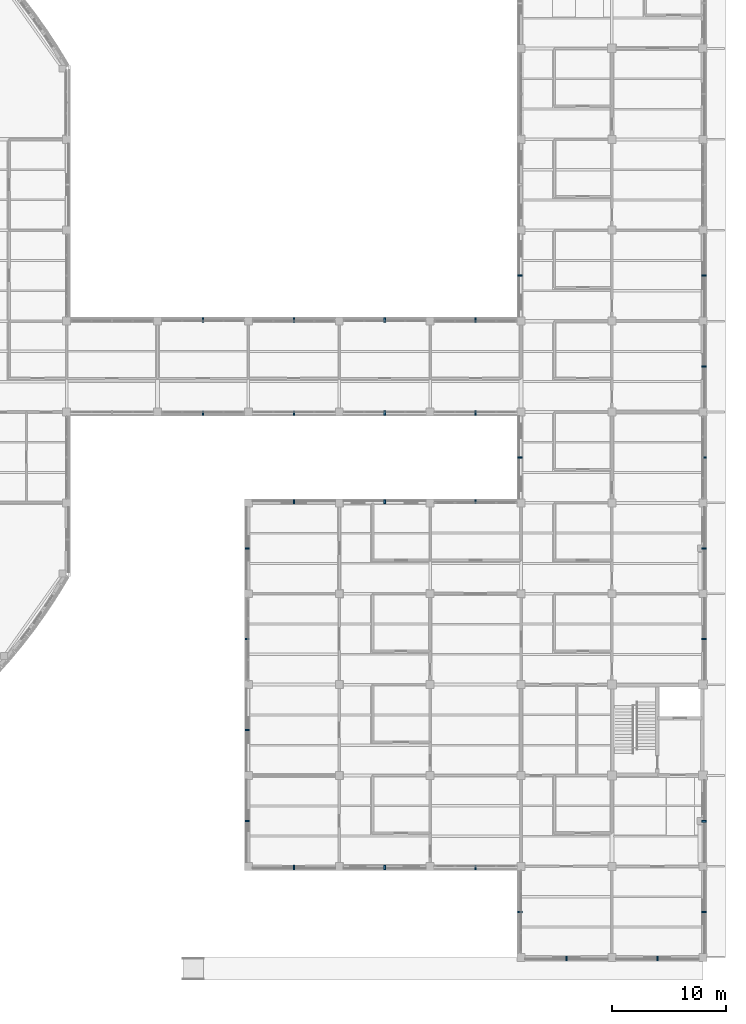
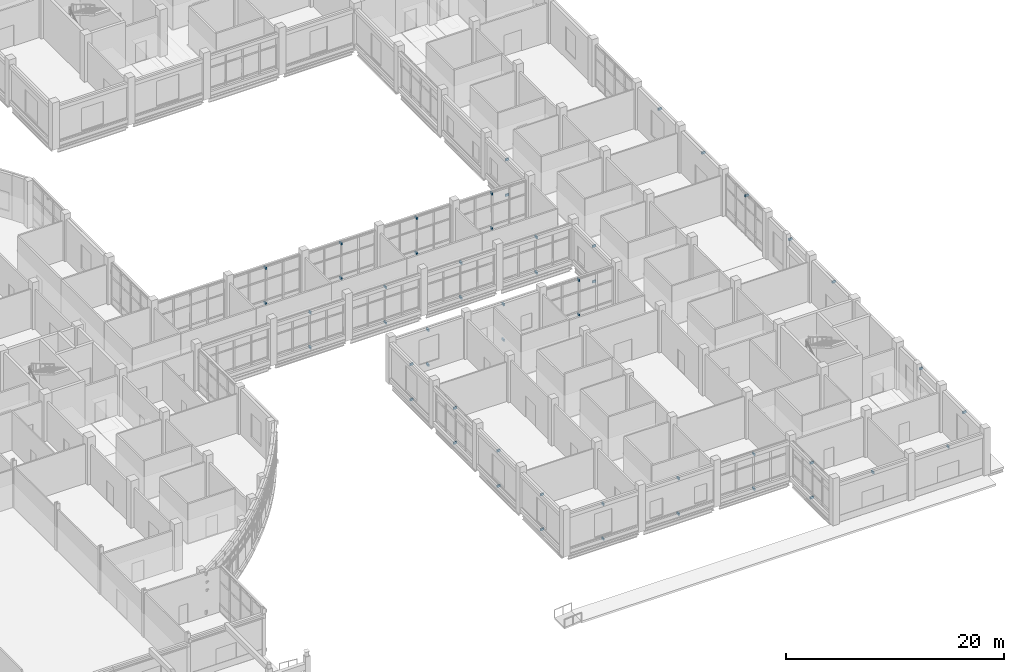
# One storey, part 90 of 105: 51 discrete accessories.
"""IFC4 building model written with IfcOpenShell, lengths in metres."""

from ifc_helpers import new_model, si_unit, derived_unit, direction, frame, origin, origin_2d, place, context, subcontext, project, spatial, rectangle, extrude, material, type_object, element, save


model = new_model("IFC4")

# Units and contexts
model_context = context("Model", 3, precision=1e-05, world=origin(), true_north=direction((0.0, 1.0)))
body_context = subcontext(model_context, "Body", "Model", "MODEL_VIEW")
ifc_project = project(units=[si_unit("LENGTHUNIT", "METRE"), si_unit("AREAUNIT", "SQUARE_METRE"), si_unit("VOLUMEUNIT", "CUBIC_METRE"), si_unit("PLANEANGLEUNIT", "RADIAN"), si_unit("MASSUNIT", "GRAM", prefix="KILO"), derived_unit("THERMALTRANSMITTANCEUNIT", [(si_unit("MASSUNIT", "GRAM", prefix="KILO"), 1), (si_unit("TIMEUNIT", "SECOND"), -3), (si_unit("THERMODYNAMICTEMPERATUREUNIT", "KELVIN"), -1)])], contexts=[model_context])

# Site, building, storey
site_placement = place(None, origin())
site = spatial("IfcSite", under=ifc_project, at=site_placement, CompositionType="ELEMENT")
building_placement = place(site_placement, origin())
building = spatial("IfcBuilding", under=site, at=building_placement, Name="Veyamyaing Civic Hall", CompositionType="ELEMENT")
storey_placement = place(building_placement, origin())
storey = spatial("IfcBuildingStorey", under=building, at=storey_placement, Name="L00", CompositionType="ELEMENT", Elevation=0.0)

# Discrete accessories
ifc_material = material(Name="Steel S355J2", Category="steel")
discrete_accessory_type = type_object("IfcDiscreteAccessoryType", Name="BK-01", PredefinedType="BRACKET", material=ifc_material)
for number, where, z_axis, x_axis, name in (
    (1, (132.0, 47.89990234375, 4.27392578125), (0.0, 0.0, 1.0), (0.0, -1.0, 0.0), "Sunshade anchor bracket BK-01 L00 S 17.7"),
    (2, (132.0, 47.89990234375, 0.35986328125), (0.0, 0.0, 1.0), (0.0, -1.0, 0.0), "Lower ribbon anchor bracket BK-01 L00 S 17.7"),
    (3, (132.0, 56.10009765625, 4.3369140625), (0.0, 0.0, 1.0), (0.0, 1.0, 0.0), "Sunshade anchor bracket BK-01 L00 N 17.7"),
    (4, (132.0, 56.10009765625, 0.35986328125), (0.0, 0.0, 1.0), (0.0, 1.0, 0.0), "Lower ribbon anchor bracket BK-01 L00 N 17.7"),
    (5, (140.0, 7.89990234375, 4.27392578125), (0.0, 0.0, 1.0), (0.0, -1.0, 0.0), "Sunshade anchor bracket BK-01 L00 S 18.2"),
    (6, (140.0, 7.89990234375, 0.35986328125), (0.0, 0.0, 1.0), (0.0, -1.0, 0.0), "Lower ribbon anchor bracket BK-01 L00 S 18.2"),
    (7, (135.89990234375, 12.0, 4.27392578125), (0.0, 0.0, 1.0), (-1.0, 0.0, 0.0), "Sunshade anchor bracket BK-01 L00 W 18.2"),
    (8, (135.89990234375, 12.0, 0.35986328125), (0.0, 0.0, 1.0), (-1.0, 0.0, 0.0), "Lower ribbon anchor bracket BK-01 L00 W 18.2"),
    (9, (135.89990234375, 20.0, 4.3369140625), (0.0, 0.0, 1.0), (-1.0, 0.0, 0.0), "Sunshade anchor bracket BK-01 L00 W 18.3"),
    (10, (135.89990234375, 20.0, 0.35986328125), (0.0, 0.0, 1.0), (-1.0, 0.0, 0.0), "Lower ribbon anchor bracket BK-01 L00 W 18.3"),
    (11, (135.89990234375, 28.0, 4.27001953125), (0.0, 0.0, 1.0), (-1.0, 0.0, 0.0), "Sunshade anchor bracket BK-01 L00 W 18.4"),
    (12, (135.89990234375, 28.0, 0.35986328125), (0.0, 0.0, 1.0), (-1.0, 0.0, 0.0), "Lower ribbon anchor bracket BK-01 L00 W 18.4"),
    (13, (140.0, 40.10009765625, 4.27392578125), (0.0, 0.0, 1.0), (0.0, 1.0, 0.0), "Sunshade anchor bracket BK-01 L00 N 18.5"),
    (14, (140.0, 40.10009765625, 0.35986328125), (0.0, 0.0, 1.0), (0.0, 1.0, 0.0), "Lower ribbon anchor bracket BK-01 L00 N 18.5"),
    (15, (135.89990234375, 36.0, 4.333984375), (0.0, 0.0, 1.0), (-1.0, 0.0, 0.0), "Sunshade anchor bracket BK-01 L00 W 18.5"),
    (16, (135.89990234375, 36.0, 0.35986328125), (0.0, 0.0, 1.0), (-1.0, 0.0, 0.0), "Lower ribbon anchor bracket BK-01 L00 W 18.5"),
    (17, (140.0, 47.89990234375, 4.3369140625), (0.0, 0.0, 1.0), (0.0, -1.0, 0.0), "Sunshade anchor bracket BK-01 L00 S 18.7"),
    (18, (140.0, 47.89990234375, 0.35986328125), (0.0, 0.0, 1.0), (0.0, -1.0, 0.0), "Lower ribbon anchor bracket BK-01 L00 S 18.7"),
    (19, (140.0, 56.10009765625, 4.27001953125), (0.0, 0.0, 1.0), (0.0, 1.0, 0.0), "Sunshade anchor bracket BK-01 L00 N 18.7"),
    (20, (140.0, 56.10009765625, 0.35986328125), (0.0, 0.0, 1.0), (0.0, 1.0, 0.0), "Lower ribbon anchor bracket BK-01 L00 N 18.7"),
    (21, (148.0, 7.89990234375, 4.3369140625), (0.0, 0.0, 1.0), (0.0, -1.0, 0.0), "Sunshade anchor bracket BK-01 L00 S 19.2"),
    (22, (148.0, 7.89990234375, 0.35986328125), (0.0, 0.0, 1.0), (0.0, -1.0, 0.0), "Lower ribbon anchor bracket BK-01 L00 S 19.2"),
    (23, (148.0, 40.10009765625, 4.3369140625), (0.0, 0.0, 1.0), (0.0, 1.0, 0.0), "Sunshade anchor bracket BK-01 L00 N 19.5"),
    (24, (148.0, 40.10009765625, 0.35986328125), (0.0, 0.0, 1.0), (0.0, 1.0, 0.0), "Lower ribbon anchor bracket BK-01 L00 N 19.5"),
    (25, (148.0, 47.89990234375, 4.27001953125), (0.0, 0.0, 1.0), (0.0, -1.0, 0.0), "Sunshade anchor bracket BK-01 L00 S 19.7"),
    (26, (148.0, 47.89990234375, 0.35986328125), (0.0, 0.0, 1.0), (0.0, -1.0, 0.0), "Lower ribbon anchor bracket BK-01 L00 S 19.7"),
    (27, (148.0, 56.10009765625, 4.333984375), (0.0, 0.0, 1.0), (0.0, 1.0, 0.0), "Sunshade anchor bracket BK-01 L00 N 19.7"),
    (28, (148.0, 56.10009765625, 0.35986328125), (0.0, 0.0, 1.0), (0.0, 1.0, 0.0), "Lower ribbon anchor bracket BK-01 L00 N 19.7"),
    (29, (156.0, 7.89990234375, 4.27001953125), (0.0, 0.0, 1.0), (0.0, -1.0, 0.0), "Sunshade anchor bracket BK-01 L00 S 20.2"),
    (30, (156.0, 7.89990234375, 0.35986328125), (0.0, 0.0, 1.0), (0.0, -1.0, 0.0), "Lower ribbon anchor bracket BK-01 L00 S 20.2"),
    (31, (156.0, 40.10009765625, 4.27001953125), (0.0, 0.0, 1.0), (0.0, 1.0, 0.0), "Sunshade anchor bracket BK-01 L00 N 20.5"),
    (32, (156.0, 40.10009765625, 0.35986328125), (0.0, 0.0, 1.0), (0.0, 1.0, 0.0), "Lower ribbon anchor bracket BK-01 L00 N 20.5"),
    (33, (156.0, 47.89990234375, 4.333984375), (0.0, 0.0, 1.0), (0.0, -1.0, 0.0), "Sunshade anchor bracket BK-01 L00 S 20.7"),
    (34, (156.0, 47.89990234375, 0.35986328125), (0.0, 0.0, 1.0), (0.0, -1.0, 0.0), "Lower ribbon anchor bracket BK-01 L00 S 20.7"),
    (35, (156.0, 56.10009765625, 4.27392578125), (0.0, 0.0, 1.0), (0.0, 1.0, 0.0), "Sunshade anchor bracket BK-01 L00 N 20.7"),
    (36, (156.0, 56.10009765625, 0.35986328125), (0.0, 0.0, 1.0), (0.0, 1.0, 0.0), "Lower ribbon anchor bracket BK-01 L00 N 20.7"),
    (37, (164.0, -0.10009765625, 4.27001953125), (0.0, 0.0, 1.0), (0.0, -1.0, 0.0), "Sunshade anchor bracket BK-01 L00 S 21.1"),
    (38, (159.89990234375, 4.0, 4.27001953125), (0.0, 0.0, 1.0), (-1.0, 0.0, 0.0), "Sunshade anchor bracket BK-01 L00 W 21.1"),
    (39, (159.89990234375, 4.0, 0.35986328125), (0.0, 0.0, 1.0), (-1.0, 0.0, 0.0), "Lower ribbon anchor bracket BK-01 L00 W 21.1"),
    (40, (159.89990234375, 44.0, 4.333984375), (0.0, 0.0, 1.0), (-1.0, 0.0, 0.0), "Sunshade anchor bracket BK-01 L00 W 21.6"),
    (41, (159.89990234375, 44.0, 0.35986328125), (0.0, 0.0, 1.0), (-1.0, 0.0, 0.0), "Lower ribbon anchor bracket BK-01 L00 W 21.6"),
    (42, (159.89990234375, 60.0, 4.341796875), (0.0, 0.0, 1.0), (-1.0, 0.0, 0.0), "Sunshade anchor bracket BK-01 L00 W 21.8"),
    (43, (159.89990234375, 60.0, 0.35986328125), (0.0, 0.0, 1.0), (-1.0, 0.0, 0.0), "Lower ribbon anchor bracket BK-01 L00 W 21.8"),
    (44, (172.0, -0.10009765625, 4.333984375), (0.0, 0.0, 1.0), (0.0, -1.0, 0.0), "Sunshade anchor bracket BK-01 L00 S 22.1"),
    (45, (176.10009765625, 4.0, 4.27392578125), (0.0, 0.0, 1.0), (1.0, 0.0, 0.0), "Sunshade anchor bracket BK-01 L00 E 22.1"),
    (46, (176.10009765625, 11.97509765625, 4.3369140625), (0.0, 0.0, 1.0), (1.0, 0.0, 0.0), "Sunshade anchor bracket BK-01 L00 E 22.2"),
    (47, (176.10009765625, 28.02490234375, 4.333984375), (0.0, 0.0, 1.0), (1.0, 0.0, 0.0), "Sunshade anchor bracket BK-01 L00 E 22.4"),
    (48, (176.10009765625, 36.0, 4.27392578125), (0.0, 0.0, 1.0), (1.0, 0.0, 0.0), "Sunshade anchor bracket BK-01 L00 E 22.5"),
    (49, (176.10009765625, 44.0, 4.3369140625), (0.0, 0.0, 1.0), (1.0, 0.0, 0.0), "Sunshade anchor bracket BK-01 L00 E 22.6"),
    (50, (176.10009765625, 52.0, 4.27001953125), (0.0, 0.0, 1.0), (1.0, 0.0, 0.0), "Sunshade anchor bracket BK-01 L00 E 22.7"),
    (51, (176.10009765625, 60.0, 4.333984375), (0.0, 0.0, 1.0), (1.0, 0.0, 0.0), "Sunshade anchor bracket BK-01 L00 E 22.8"),
):
    element("IfcDiscreteAccessory", number, at=place(storey_placement, frame(where, z_axis=z_axis, x_axis=x_axis)), inside=storey, type_object=discrete_accessory_type, Name=name, PredefinedType="BRACKET", context=body_context, shape_type="SweptSolid", body=[
        extrude(rectangle(XDim=0.3798828125, YDim=0.139892578125, at=origin_2d()), origin(), (0.0, 0.0, 1.0), 0.239990234375),
    ])

save(model, "model.ifc")
